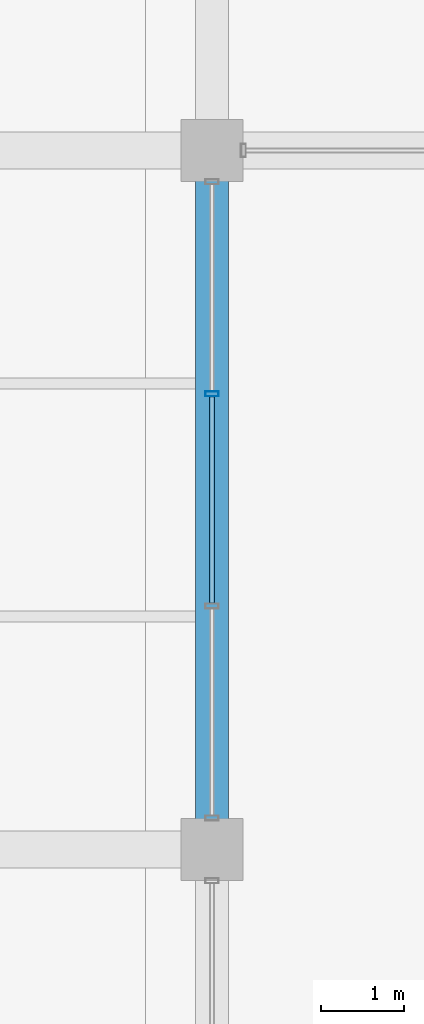
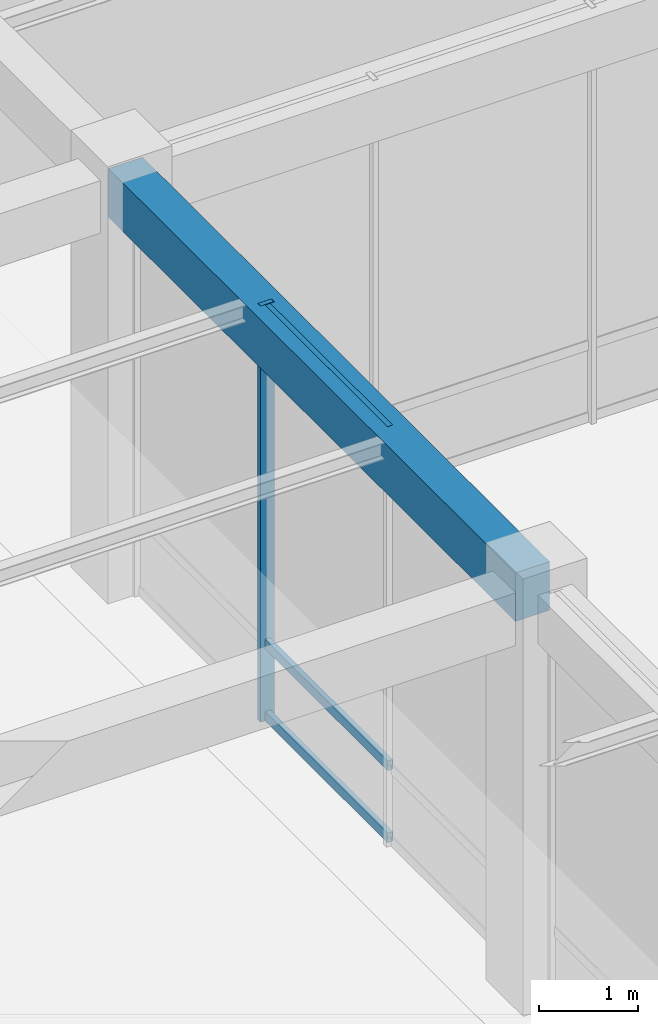
# One storey, part 10 of 157: 4 members, 1 beam, 1 element without a shape of its own.
"""IFC4 building model written with IfcOpenShell, lengths in metres."""

from ifc_helpers import new_model, si_unit, direction, frame, origin, origin_2d, place, context, subcontext, project, spatial, rectangle, hollow_rectangle, extrude, material, material_profile, profile_set, type_object, element, aggregate, save


model = new_model("IFC4")

# Units and contexts
model_context = context("Model", 3, precision=1e-05, world=origin(), true_north=direction((0.0, 1.0)))
body_context = subcontext(model_context, "Body", "Model", "MODEL_VIEW")
ifc_project = project(units=[si_unit("LENGTHUNIT", "METRE"), si_unit("AREAUNIT", "SQUARE_METRE"), si_unit("VOLUMEUNIT", "CUBIC_METRE"), si_unit("PLANEANGLEUNIT", "RADIAN"), si_unit("MASSUNIT", "GRAM", prefix="KILO"), si_unit("THERMODYNAMICTEMPERATUREUNIT", "KELVIN"), si_unit("POWERUNIT", "WATT")], contexts=[model_context])

# Site, building, storey
site_placement = place(None, origin())
site = spatial("IfcSite", under=ifc_project, at=site_placement, CompositionType="ELEMENT")
building_placement = place(site_placement, origin())
building = spatial("IfcBuilding", under=site, at=building_placement, Name="Darbajah Civic Hall", CompositionType="ELEMENT")
storey_placement = place(building_placement, origin())
storey = spatial("IfcBuildingStorey", under=building, at=storey_placement, Name="L00", CompositionType="ELEMENT", Elevation=0.0)

# Curtain wall, members
ifc_material_1 = material(Name="Anodised Bronze Aluminium and Low-E Glazing", Category="aluminium")
curtain_wall_type = type_object("IfcCurtainWallType", Name="Unitised Curtain Wall CW-98 7600x5150", PredefinedType="USERDEFINED", material=ifc_material_1)
curtain_wall_placement = place(storey_placement, origin())
curtain_wall = element("IfcCurtainWall", 1, at=curtain_wall_placement, inside=storey, type_object=curtain_wall_type, Name="L00 unitised curtain wall CW-V5-L00-S1-B1", ObjectType="UNITISED CURTAIN WALL", PredefinedType="USERDEFINED")
ifc_material_2 = material(Name="Anodised Bronze Aluminium", Category="aluminium")
ifc_material_profile_1 = material_profile(ifc_material_2, hollow_rectangle(XDim=0.06005859375, YDim=0.159912109375, WallThickness=0.00341796875, at=origin_2d()), Name="ALU MULLION 60x160")
ifc_profile_set_1 = profile_set([ifc_material_profile_1], Name="Anodised Bronze Aluminium")
member_type_1 = type_object("IfcMemberType", Name="ALU MULLION 60x160", PredefinedType="MULLION", material=ifc_profile_set_1)
member_1_placement = place(storey_placement, frame((16.800048828125, 13.874267578125, 0.0), z_axis=(0.0, 0.0, 1.0), x_axis=(0.0, 1.0, 0.0)))
member_1 = element("IfcMember", 2, at=member_1_placement, type_object=member_type_1, Name="CW-V5-L00-S1-B1 mullion 3", PredefinedType="MULLION", context=body_context, shape_type="SweptSolid", body=[
    extrude(hollow_rectangle(XDim=0.06005859375, YDim=0.159912109375, WallThickness=0.00341796875, at=origin_2d()), origin(), (0.0, 0.0, 1.0), 5.139892578125),
])
ifc_material_profile_2 = material_profile(ifc_material_2, hollow_rectangle(XDim=0.06005859375, YDim=0.1201171875, WallThickness=0.003173828125, at=origin_2d()), Name="ALU TRANSOM 60x120")
ifc_profile_set_2 = profile_set([ifc_material_profile_2], Name="Anodised Bronze Aluminium")
member_type_2 = type_object("IfcMemberType", Name="ALU TRANSOM 60x120", PredefinedType="USERDEFINED", material=ifc_profile_set_2)
member_2_placement = place(storey_placement, frame((16.800048828125, 11.360595703125, 0.06005859375), z_axis=(0.0, 1.0, 0.0), x_axis=(-1.0, 0.0, 0.0)))
member_2 = element("IfcMember", 3, at=member_2_placement, type_object=member_type_2, Name="CW-V5-L00-S1-B1 transom 2.1", ObjectType="TRANSOM", PredefinedType="USERDEFINED", context=body_context, shape_type="SweptSolid", body=[
    extrude(hollow_rectangle(XDim=0.06005859375, YDim=0.1201171875, WallThickness=0.003173828125, at=origin_2d()), origin(), (0.0, 0.0, 1.0), 2.478759765625),
])
member_3_placement = place(storey_placement, frame((16.800048828125, 11.360595703125, 0.949951171875), z_axis=(0.0, 1.0, 0.0), x_axis=(-1.0, 0.0, 0.0)))
member_3 = element("IfcMember", 4, at=member_3_placement, type_object=member_type_2, Name="CW-V5-L00-S1-B1 transom 2.2", ObjectType="TRANSOM", PredefinedType="USERDEFINED", context=body_context, shape_type="SweptSolid", body=[
    extrude(hollow_rectangle(XDim=0.06005859375, YDim=0.1201171875, WallThickness=0.003173828125, at=origin_2d()), origin(), (0.0, 0.0, 1.0), 2.478759765625),
])
member_4_placement = place(storey_placement, frame((16.800048828125, 11.360595703125, 5.080078125), z_axis=(0.0, 1.0, 0.0), x_axis=(-1.0, 0.0, 0.0)))
member_4 = element("IfcMember", 5, at=member_4_placement, type_object=member_type_2, Name="CW-V5-L00-S1-B1 transom 2.3", ObjectType="TRANSOM", PredefinedType="USERDEFINED", context=body_context, shape_type="SweptSolid", body=[
    extrude(hollow_rectangle(XDim=0.06005859375, YDim=0.1201171875, WallThickness=0.003173828125, at=origin_2d()), origin(), (0.0, 0.0, 1.0), 2.478759765625),
])
aggregate(curtain_wall, [member_1, member_2, member_3, member_4])

# Beam
ifc_material_3 = material(Name="Concrete C45/55", Category="concrete")
ifc_material_profile_3 = material_profile(ifc_material_3, rectangle(XDim=0.39990234375, YDim=0.60009765625, at=origin_2d()), Name="RC BEAM 400x600")
ifc_profile_set_3 = profile_set([ifc_material_profile_3], Name="Concrete C45/55")
beam_type = type_object("IfcBeamType", Name="RC BEAM 400x600", PredefinedType="BEAM", material=ifc_profile_set_3)
beam_placement = place(storey_placement, frame((16.800048828125, 8.47998046875, 4.840087890625), z_axis=(0.0, 1.0, 0.0), x_axis=(-1.0, 0.0, 0.0)))
element("IfcBeam", 6, at=beam_placement, inside=storey, type_object=beam_type, Name="L00 beam BM-4060", PredefinedType="BEAM", context=body_context, shape_type="SweptSolid", body=[
    extrude(rectangle(XDim=0.39990234375, YDim=0.60009765625, at=origin_2d()), origin(), (0.0, 0.0, 1.0), 8.239990234375),
])

save(model, "model.ifc")
